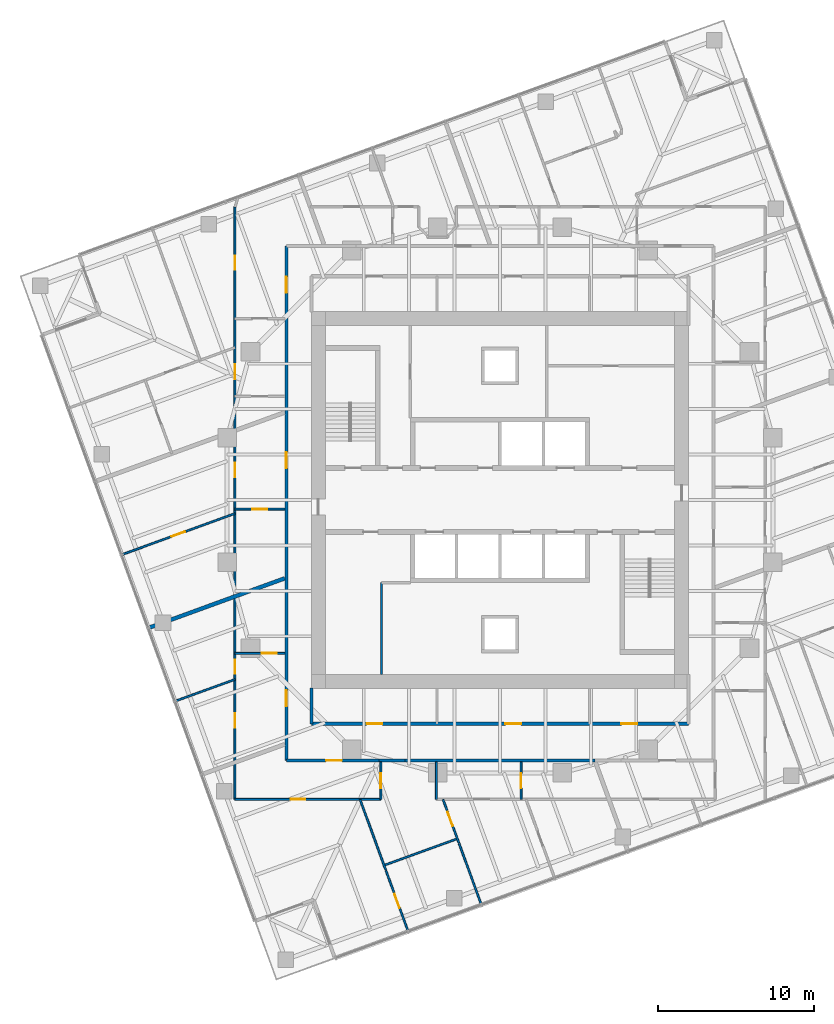
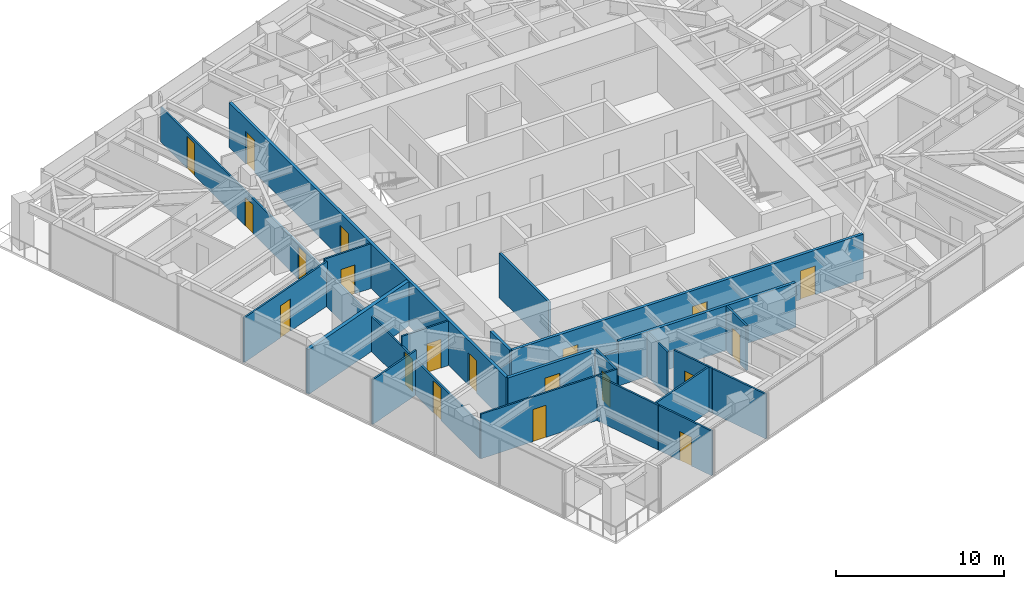
# One storey, part 7 of 13: 22 walls, 20 doors, 20 openings.
"""IFC4 building model written with IfcOpenShell, lengths in metres."""

from ifc_helpers import new_model, si_unit, direction, frame, frame_2d, origin, place, context, subcontext, project, spatial, rectangle, extrude, material, layer, layer_set, type_object, element, fill, save


model = new_model("IFC4")

# Units and contexts
model_context = context("Model", 3, precision=1e-05, world=origin(), true_north=direction((0.0, 1.0)))
body_context = subcontext(model_context, "Body", "Model", "MODEL_VIEW")
ifc_project = project(units=[si_unit("LENGTHUNIT", "METRE"), si_unit("AREAUNIT", "SQUARE_METRE"), si_unit("VOLUMEUNIT", "CUBIC_METRE"), si_unit("PLANEANGLEUNIT", "RADIAN"), si_unit("MASSUNIT", "GRAM", prefix="KILO")], contexts=[model_context])

# Site, building, storey
site_placement = place(None, origin())
site = spatial("IfcSite", under=ifc_project, at=site_placement, CompositionType="ELEMENT")
building_placement = place(site_placement, origin())
building = spatial("IfcBuilding", under=site, at=building_placement, Name="Torsade Residences", CompositionType="ELEMENT")
storey_placement = place(building_placement, frame((0.0, 0.0, 147.199951171875)))
storey = spatial("IfcBuildingStorey", under=building, at=storey_placement, Name="L40", CompositionType="ELEMENT", Elevation=147.199951171875)

# Wall, opening, door
ifc_material_1 = material(Name="Plasterboard on steel stud", Category="steel")
ifc_layer_1 = layer(ifc_material_1, 0.199951171875)
ifc_layer_set_1 = layer_set([ifc_layer_1], Name="Plasterboard on steel stud")
wall_type_1 = type_object("IfcWallType", Name="CORRIDOR WALL 200", PredefinedType="PARTITIONING", material=ifc_layer_set_1)
wall_1_placement = place(storey_placement, frame((26.300048828125, 13.300048828125, 0.0), z_axis=(0.0, 0.0, 1.0), x_axis=(1.0, 0.0, 0.0)))
wall_1 = element("IfcWall", 1, at=wall_1_placement, inside=storey, type_object=wall_type_1, Name="Corridor wall L40", PredefinedType="PARTITIONING", context=body_context, shape_type="SweptSolid", body=[
    extrude(rectangle(XDim=5.9248046875, YDim=0.199951171875, at=frame_2d((2.96240234375, 0.0))), origin(), (0.0, 0.0, 1.0), 3.25),
])
opening_1_placement = place(wall_1_placement, frame((2.54541015625, 0.0, 0.0)))
opening_1 = element("IfcOpeningElement", 2, at=opening_1_placement, cuts=wall_1, Name="Opening D01", PredefinedType="OPENING", context=body_context, shape_type="SweptSolid", body=[
    extrude(rectangle(XDim=1.02001953125, YDim=2.340087890625, at=frame_2d((0.510009765625, 1.169921875))), frame((0.0, 0.10986328125, 0.0), z_axis=(0.0, -1.0, 0.0), x_axis=(1.0, 0.0, 0.0)), (0.0, 0.0, 1.0), 0.219970703125),
])
ifc_material_2 = material(Name="Solid-core timber fire door", Category="wood")
door_type_1 = type_object("IfcDoorType", Name="APARTMENT ENTRY DOOR 1020x2340", OperationType="NOTDEFINED", PredefinedType="DOOR", material=ifc_material_2)
door_1_placement = place(opening_1_placement, origin())
door_1 = element("IfcDoor", 3, at=door_1_placement, inside=storey, type_object=door_type_1, Name="Door Residential corridor to Kitchen and dining", OperationType="SINGLE_SWING_RIGHT", OverallHeight=2.340087890625, OverallWidth=1.02001953125, PredefinedType="DOOR", context=body_context, shape_type="SweptSolid", body=[
    extrude(rectangle(XDim=1.02001953125, YDim=2.340087890625, at=frame_2d((0.510009765625, 1.169921875))), frame((0.0, 0.02490234375, 0.0), z_axis=(0.0, -1.0, 0.0), x_axis=(1.0, 0.0, 0.0)), (0.0, 0.0, 1.0), 0.050048828125),
])
fill(opening_1, door_1)

# Walls
wall_2_placement = place(storey_placement, frame((32.224853515625, 13.300048828125, 0.0), z_axis=(0.0, 0.0, 1.0), x_axis=(1.0, 0.0, 0.0)))
element("IfcWall", 4, at=wall_2_placement, inside=storey, type_object=wall_type_1, Name="Corridor wall L40", PredefinedType="PARTITIONING", context=body_context, shape_type="SweptSolid", body=[
    extrude(rectangle(XDim=1.68359375, YDim=0.199951171875, at=frame_2d((0.841796875, 0.0))), origin(), (0.0, 0.0, 1.0), 2.550048828125),
])
wall_3_placement = place(storey_placement, frame((33.908447265625, 13.300048828125, 0.0), z_axis=(0.0, 0.0, 1.0), x_axis=(1.0, 0.0, 0.0)))
element("IfcWall", 5, at=wall_3_placement, inside=storey, type_object=wall_type_1, Name="Corridor wall L40", PredefinedType="PARTITIONING", context=body_context, shape_type="SweptSolid", body=[
    extrude(rectangle(XDim=12.18310546875, YDim=0.199951171875, at=frame_2d((6.091552734375, 0.0))), origin(), (0.0, 0.0, 1.0), 3.25),
])

# Wall, openings, doors
wall_4_placement = place(storey_placement, frame((26.300048828125, 46.300048828125, 0.0), z_axis=(0.0, 0.0, 1.0), x_axis=(0.0, -1.0, 0.0)))
wall_4 = element("IfcWall", 6, at=wall_4_placement, inside=storey, type_object=wall_type_1, Name="Corridor wall L40", PredefinedType="PARTITIONING", context=body_context, shape_type="SweptSolid", body=[
    extrude(rectangle(XDim=33.0, YDim=0.199951171875, at=frame_2d((16.5, 0.0))), origin(), (0.0, 0.0, 1.0), 3.25),
])
opening_2_placement = place(wall_4_placement, frame((13.2294921875, 0.0, 0.0)))
opening_2 = element("IfcOpeningElement", 7, at=opening_2_placement, cuts=wall_4, Name="Opening D01", PredefinedType="OPENING", context=body_context, shape_type="SweptSolid", body=[
    extrude(rectangle(XDim=1.02001953125, YDim=2.340087890625, at=frame_2d((0.510009765625, 1.169921875))), frame((0.0, 0.10986328125, 0.0), z_axis=(0.0, -1.0, 0.0), x_axis=(1.0, 0.0, 0.0)), (0.0, 0.0, 1.0), 0.219970703125),
])
opening_3_placement = place(wall_4_placement, frame((28.51025390625, 0.0, 0.0)))
opening_3 = element("IfcOpeningElement", 8, at=opening_3_placement, cuts=wall_4, Name="Opening D01", PredefinedType="OPENING", context=body_context, shape_type="SweptSolid", body=[
    extrude(rectangle(XDim=1.02001953125, YDim=2.340087890625, at=frame_2d((0.510009765625, 1.169921875))), frame((0.0, 0.10986328125, 0.0), z_axis=(0.0, -1.0, 0.0), x_axis=(1.0, 0.0, 0.0)), (0.0, 0.0, 1.0), 0.219970703125),
])
opening_4_placement = place(wall_4_placement, frame((1.998291015625, 0.0, 0.0)))
opening_4 = element("IfcOpeningElement", 9, at=opening_4_placement, cuts=wall_4, Name="Opening D01", PredefinedType="OPENING", context=body_context, shape_type="SweptSolid", body=[
    extrude(rectangle(XDim=1.02001953125, YDim=2.340087890625, at=frame_2d((0.510009765625, 1.169921875))), frame((0.0, 0.10986328125, 0.0), z_axis=(0.0, -1.0, 0.0), x_axis=(1.0, 0.0, 0.0)), (0.0, 0.0, 1.0), 0.219970703125),
])
door_2_placement = place(opening_2_placement, origin())
door_2 = element("IfcDoor", 10, at=door_2_placement, inside=storey, type_object=door_type_1, Name="Door Residential corridor to Kitchen and dining", OperationType="SINGLE_SWING_LEFT", OverallHeight=2.340087890625, OverallWidth=1.02001953125, PredefinedType="DOOR", context=body_context, shape_type="SweptSolid", body=[
    extrude(rectangle(XDim=1.02001953125, YDim=2.340087890625, at=frame_2d((0.510009765625, 1.169921875))), frame((0.0, 0.02490234375, 0.0), z_axis=(0.0, -1.0, 0.0), x_axis=(1.0, 0.0, 0.0)), (0.0, 0.0, 1.0), 0.050048828125),
])
fill(opening_2, door_2)
door_3_placement = place(opening_3_placement, origin())
door_3 = element("IfcDoor", 11, at=door_3_placement, inside=storey, type_object=door_type_1, Name="Door Residential corridor to Kitchen and dining", OperationType="SINGLE_SWING_RIGHT", OverallHeight=2.340087890625, OverallWidth=1.02001953125, PredefinedType="DOOR", context=body_context, shape_type="SweptSolid", body=[
    extrude(rectangle(XDim=1.02001953125, YDim=2.340087890625, at=frame_2d((0.510009765625, 1.169921875))), frame((0.0, 0.02490234375, 0.0), z_axis=(0.0, -1.0, 0.0), x_axis=(1.0, 0.0, 0.0)), (0.0, 0.0, 1.0), 0.050048828125),
])
fill(opening_3, door_3)
door_4_placement = place(opening_4_placement, origin())
door_4 = element("IfcDoor", 12, at=door_4_placement, inside=storey, type_object=door_type_1, Name="Door Residential corridor to Kitchen and dining", OperationType="SINGLE_SWING_LEFT", OverallHeight=2.340087890625, OverallWidth=1.02001953125, PredefinedType="DOOR", context=body_context, shape_type="SweptSolid", body=[
    extrude(rectangle(XDim=1.02001953125, YDim=2.340087890625, at=frame_2d((0.510009765625, 1.169921875))), frame((0.0, 0.02490234375, 0.0), z_axis=(0.0, -1.0, 0.0), x_axis=(1.0, 0.0, 0.0)), (0.0, 0.0, 1.0), 0.050048828125),
])
fill(opening_4, door_4)

# Wall
wall_5_placement = place(storey_placement, frame((27.89990234375, 17.949951171875, 0.0), z_axis=(0.0, 0.0, 1.0), x_axis=(0.0, -1.0, 0.0)))
element("IfcWall", 13, at=wall_5_placement, inside=storey, type_object=wall_type_1, Name="Corridor wall L40", PredefinedType="PARTITIONING", context=body_context, shape_type="SweptSolid", body=[
    extrude(rectangle(XDim=2.300048828125, YDim=0.199951171875, at=frame_2d((1.14990234375, 0.0))), origin(), (0.0, 0.0, 1.0), 3.25),
])

# Wall, openings, doors
wall_6_placement = place(storey_placement, frame((27.89990234375, 15.64990234375, 0.0), z_axis=(0.0, 0.0, 1.0), x_axis=(1.0, 0.0, 0.0)))
wall_6 = element("IfcWall", 14, at=wall_6_placement, inside=storey, type_object=wall_type_1, Name="Corridor wall L40", PredefinedType="PARTITIONING", context=body_context, shape_type="SweptSolid", body=[
    extrude(rectangle(XDim=24.2001953125, YDim=0.199951171875, at=frame_2d((12.10009765625, 0.0))), origin(), (0.0, 0.0, 1.0), 3.25),
])
opening_5_placement = place(wall_6_placement, frame((12.43701171875, 0.0, 0.0)))
opening_5 = element("IfcOpeningElement", 15, at=opening_5_placement, cuts=wall_6, Name="Opening D03", PredefinedType="OPENING", context=body_context, shape_type="SweptSolid", body=[
    extrude(rectangle(XDim=1.02001953125, YDim=2.10009765625, at=frame_2d((0.510009765625, 1.050048828125))), frame((0.0, 0.10986328125, 0.0), z_axis=(0.0, -1.0, 0.0), x_axis=(1.0, 0.0, 0.0)), (0.0, 0.0, 1.0), 0.219970703125),
])
opening_6_placement = place(wall_6_placement, frame((3.544189453125, 0.0, 0.0)))
opening_6 = element("IfcOpeningElement", 16, at=opening_6_placement, cuts=wall_6, Name="Opening D03", PredefinedType="OPENING", context=body_context, shape_type="SweptSolid", body=[
    extrude(rectangle(XDim=1.02001953125, YDim=2.10009765625, at=frame_2d((0.510009765625, 1.050048828125))), frame((0.0, 0.10986328125, 0.0), z_axis=(0.0, -1.0, 0.0), x_axis=(1.0, 0.0, 0.0)), (0.0, 0.0, 1.0), 0.219970703125),
])
opening_7_placement = place(wall_6_placement, frame((19.8828125, 0.0, 0.0)))
opening_7 = element("IfcOpeningElement", 17, at=opening_7_placement, cuts=wall_6, Name="Opening D03", PredefinedType="OPENING", context=body_context, shape_type="SweptSolid", body=[
    extrude(rectangle(XDim=1.02001953125, YDim=2.10009765625, at=frame_2d((0.510009765625, 1.050048828125))), frame((0.0, 0.10986328125, 0.0), z_axis=(0.0, -1.0, 0.0), x_axis=(1.0, 0.0, 0.0)), (0.0, 0.0, 1.0), 0.219970703125),
])
ifc_material_3 = material(Name="Steel-framed fire door", Category="steel")
door_type_2 = type_object("IfcDoorType", Name="FIRE DOOR 1020", OperationType="NOTDEFINED", PredefinedType="DOOR", material=ifc_material_3)
door_5_placement = place(opening_5_placement, origin())
door_5 = element("IfcDoor", 18, at=door_5_placement, inside=storey, type_object=door_type_2, Name="Door Residential corridor to Bulk store", OperationType="SINGLE_SWING_RIGHT", OverallHeight=2.10009765625, OverallWidth=1.02001953125, PredefinedType="DOOR", context=body_context, shape_type="SweptSolid", body=[
    extrude(rectangle(XDim=1.02001953125, YDim=2.10009765625, at=frame_2d((0.510009765625, 1.050048828125))), frame((0.0, 0.02490234375, 0.0), z_axis=(0.0, -1.0, 0.0), x_axis=(1.0, 0.0, 0.0)), (0.0, 0.0, 1.0), 0.050048828125),
])
fill(opening_5, door_5)
door_6_placement = place(opening_6_placement, origin())
door_6 = element("IfcDoor", 19, at=door_6_placement, inside=storey, type_object=door_type_2, Name="Door Residential corridor to Residents storage", OperationType="SINGLE_SWING_RIGHT", OverallHeight=2.10009765625, OverallWidth=1.02001953125, PredefinedType="DOOR", context=body_context, shape_type="SweptSolid", body=[
    extrude(rectangle(XDim=1.02001953125, YDim=2.10009765625, at=frame_2d((0.510009765625, 1.050048828125))), frame((0.0, 0.02490234375, 0.0), z_axis=(0.0, -1.0, 0.0), x_axis=(1.0, 0.0, 0.0)), (0.0, 0.0, 1.0), 0.050048828125),
])
fill(opening_6, door_6)
door_7_placement = place(opening_7_placement, origin())
door_7 = element("IfcDoor", 20, at=door_7_placement, inside=storey, type_object=door_type_2, Name="Door Residential corridor to Parcel room", OperationType="SINGLE_SWING_LEFT", OverallHeight=2.10009765625, OverallWidth=1.02001953125, PredefinedType="DOOR", context=body_context, shape_type="SweptSolid", body=[
    extrude(rectangle(XDim=1.02001953125, YDim=2.10009765625, at=frame_2d((0.510009765625, 1.050048828125))), frame((0.0, 0.02490234375, 0.0), z_axis=(0.0, -1.0, 0.0), x_axis=(1.0, 0.0, 0.0)), (0.0, 0.0, 1.0), 0.050048828125),
])
fill(opening_7, door_7)

# Wall, opening, door
ifc_material_4 = material(Name="Plasterboard on steel stud", Category="steel")
ifc_layer_2 = layer(ifc_material_4, 0.1201171875)
ifc_layer_set_2 = layer_set([ifc_layer_2], Name="Plasterboard on steel stud")
wall_type_2 = type_object("IfcWallType", Name="PARTITION 120", PredefinedType="PARTITIONING", material=ifc_layer_set_2)
wall_7_placement = place(storey_placement, frame((26.199951171875, 29.4130859375, 0.0), z_axis=(0.0, 0.0, 1.0), x_axis=(-1.0, 0.0, 0.0)))
wall_7 = element("IfcWall", 21, at=wall_7_placement, inside=storey, type_object=wall_type_2, Name="Partition L40", PredefinedType="PARTITIONING", context=body_context, shape_type="SweptSolid", body=[
    extrude(rectangle(XDim=3.199951171875, YDim=0.1201171875, at=frame_2d((1.60009765625, 0.0))), origin(), (0.0, 0.0, 1.0), 3.25),
])
opening_8_placement = place(wall_7_placement, frame((1.1201171875, 0.0, 0.0)))
opening_8 = element("IfcOpeningElement", 22, at=opening_8_placement, cuts=wall_7, Name="Opening D05", PredefinedType="OPENING", context=body_context, shape_type="SweptSolid", body=[
    extrude(rectangle(XDim=0.9599609375, YDim=2.10009765625, at=frame_2d((0.47998046875, 1.050048828125))), frame((0.0, 0.070068359375, 0.0), z_axis=(0.0, -1.0, 0.0), x_axis=(1.0, 0.0, 0.0)), (0.0, 0.0, 1.0), 0.14013671875),
])
ifc_material_5 = material(Name="Hollow-core timber door in a steel cavity frame", Category="steel")
door_type_3 = type_object("IfcDoorType", Name="BATHROOM CAVITY SLIDING DOOR 960", OperationType="SLIDING_TO_LEFT", PredefinedType="DOOR", material=ifc_material_5)
door_8_placement = place(opening_8_placement, origin())
door_8 = element("IfcDoor", 23, at=door_8_placement, inside=storey, type_object=door_type_3, Name="Door Kitchen and dining to Bathroom", OperationType="SLIDING_TO_LEFT", OverallHeight=2.10009765625, OverallWidth=0.9599609375, PredefinedType="DOOR", context=body_context, shape_type="SweptSolid", body=[
    extrude(rectangle(XDim=0.9599609375, YDim=2.10009765625, at=frame_2d((0.47998046875, 1.050048828125))), frame((0.0, 0.02490234375, 0.0), z_axis=(0.0, -1.0, 0.0), x_axis=(1.0, 0.0, 0.0)), (0.0, 0.0, 1.0), 0.050048828125),
])
fill(opening_8, door_8)

# Wall, openings, doors
wall_8_placement = place(storey_placement, frame((23.0, 10.800048828125, 0.0), z_axis=(0.0, 0.0, 1.0), x_axis=(0.0, 1.0, 0.0)))
wall_8 = element("IfcWall", 24, at=wall_8_placement, inside=storey, type_object=wall_type_2, Name="Partition L40", PredefinedType="PARTITIONING", context=body_context, shape_type="SweptSolid", body=[
    extrude(rectangle(XDim=38.0, YDim=0.1201171875, at=frame_2d((19.0, 0.0))), origin(), (0.0, 0.0, 1.0), 2.550048828125),
])
opening_9_placement = place(wall_8_placement, frame((20.673583984375, 0.0, 0.0)))
opening_9 = element("IfcOpeningElement", 25, at=opening_9_placement, cuts=wall_8, Name="Opening D02", PredefinedType="OPENING", context=body_context, shape_type="SweptSolid", body=[
    extrude(rectangle(XDim=0.919921875, YDim=2.340087890625, at=frame_2d((0.4599609375, 1.169921875))), frame((0.0, 0.070068359375, 0.0), z_axis=(0.0, -1.0, 0.0), x_axis=(1.0, 0.0, 0.0)), (0.0, 0.0, 1.0), 0.14013671875),
])
opening_10_placement = place(wall_8_placement, frame((4.59765625, 0.0, 0.0)))
opening_10 = element("IfcOpeningElement", 26, at=opening_10_placement, cuts=wall_8, Name="Opening D02", PredefinedType="OPENING", context=body_context, shape_type="SweptSolid", body=[
    extrude(rectangle(XDim=0.919921875, YDim=2.340087890625, at=frame_2d((0.4599609375, 1.169921875))), frame((0.0, 0.070068359375, 0.0), z_axis=(0.0, -1.0, 0.0), x_axis=(1.0, 0.0, 0.0)), (0.0, 0.0, 1.0), 0.14013671875),
])
opening_11_placement = place(wall_8_placement, frame((8.042724609375, 0.0, 0.0)))
opening_11 = element("IfcOpeningElement", 27, at=opening_11_placement, cuts=wall_8, Name="Opening D02", PredefinedType="OPENING", context=body_context, shape_type="SweptSolid", body=[
    extrude(rectangle(XDim=0.919921875, YDim=2.340087890625, at=frame_2d((0.4599609375, 1.169921875))), frame((0.0, 0.070068359375, 0.0), z_axis=(0.0, -1.0, 0.0), x_axis=(1.0, 0.0, 0.0)), (0.0, 0.0, 1.0), 0.14013671875),
])
opening_12_placement = place(wall_8_placement, frame((33.956787109375, 0.0, 0.0)))
opening_12 = element("IfcOpeningElement", 28, at=opening_12_placement, cuts=wall_8, Name="Opening D02", PredefinedType="OPENING", context=body_context, shape_type="SweptSolid", body=[
    extrude(rectangle(XDim=0.919921875, YDim=2.340087890625, at=frame_2d((0.4599609375, 1.169921875))), frame((0.0, 0.070068359375, 0.0), z_axis=(0.0, -1.0, 0.0), x_axis=(1.0, 0.0, 0.0)), (0.0, 0.0, 1.0), 0.14013671875),
])
opening_13_placement = place(wall_8_placement, frame((26.95654296875, 0.0, 0.0)))
opening_13 = element("IfcOpeningElement", 29, at=opening_13_placement, cuts=wall_8, Name="Opening D05", PredefinedType="OPENING", context=body_context, shape_type="SweptSolid", body=[
    extrude(rectangle(XDim=0.9599609375, YDim=2.10009765625, at=frame_2d((0.47998046875, 1.050048828125))), frame((0.0, 0.070068359375, 0.0), z_axis=(0.0, -1.0, 0.0), x_axis=(1.0, 0.0, 0.0)), (0.0, 0.0, 1.0), 0.14013671875),
])
door_9_placement = place(opening_13_placement, origin())
door_9 = element("IfcDoor", 30, at=door_9_placement, inside=storey, type_object=door_type_3, Name="Door Bathroom to Walk-in robe", OperationType="SLIDING_TO_LEFT", OverallHeight=2.10009765625, OverallWidth=0.9599609375, PredefinedType="DOOR", context=body_context, shape_type="SweptSolid", body=[
    extrude(rectangle(XDim=0.9599609375, YDim=2.10009765625, at=frame_2d((0.47998046875, 1.050048828125))), frame((0.0, 0.02490234375, 0.0), z_axis=(0.0, -1.0, 0.0), x_axis=(1.0, 0.0, 0.0)), (0.0, 0.0, 1.0), 0.050048828125),
])
fill(opening_13, door_9)
ifc_material_6 = material(Name="Hollow-core timber door", Category="wood")
door_type_4 = type_object("IfcDoorType", Name="INTERNAL DOOR 920x2340", OperationType="NOTDEFINED", PredefinedType="DOOR", material=ifc_material_6)
door_10_placement = place(opening_9_placement, origin())
door_10 = element("IfcDoor", 31, at=door_10_placement, inside=storey, type_object=door_type_4, Name="Door Kitchen and dining to Living room", OperationType="SINGLE_SWING_RIGHT", OverallHeight=2.340087890625, OverallWidth=0.919921875, PredefinedType="DOOR", context=body_context, shape_type="SweptSolid", body=[
    extrude(rectangle(XDim=0.919921875, YDim=2.340087890625, at=frame_2d((0.4599609375, 1.169921875))), frame((0.0, 0.02490234375, 0.0), z_axis=(0.0, -1.0, 0.0), x_axis=(1.0, 0.0, 0.0)), (0.0, 0.0, 1.0), 0.050048828125),
])
fill(opening_9, door_10)
door_11_placement = place(opening_10_placement, origin())
door_11 = element("IfcDoor", 32, at=door_11_placement, inside=storey, type_object=door_type_4, Name="Door Kitchen and dining to Bedroom 1", OperationType="SINGLE_SWING_RIGHT", OverallHeight=2.340087890625, OverallWidth=0.919921875, PredefinedType="DOOR", context=body_context, shape_type="SweptSolid", body=[
    extrude(rectangle(XDim=0.919921875, YDim=2.340087890625, at=frame_2d((0.4599609375, 1.169921875))), frame((0.0, 0.02490234375, 0.0), z_axis=(0.0, -1.0, 0.0), x_axis=(1.0, 0.0, 0.0)), (0.0, 0.0, 1.0), 0.050048828125),
])
fill(opening_10, door_11)
door_12_placement = place(opening_11_placement, origin())
door_12 = element("IfcDoor", 33, at=door_12_placement, inside=storey, type_object=door_type_4, Name="Door Kitchen and dining to Living room", OperationType="SINGLE_SWING_LEFT", OverallHeight=2.340087890625, OverallWidth=0.919921875, PredefinedType="DOOR", context=body_context, shape_type="SweptSolid", body=[
    extrude(rectangle(XDim=0.919921875, YDim=2.340087890625, at=frame_2d((0.4599609375, 1.169921875))), frame((0.0, 0.02490234375, 0.0), z_axis=(0.0, -1.0, 0.0), x_axis=(1.0, 0.0, 0.0)), (0.0, 0.0, 1.0), 0.050048828125),
])
fill(opening_11, door_12)
door_13_placement = place(opening_12_placement, origin())
door_13 = element("IfcDoor", 34, at=door_13_placement, inside=storey, type_object=door_type_4, Name="Door Kitchen and dining to Bedroom 1", OperationType="SINGLE_SWING_RIGHT", OverallHeight=2.340087890625, OverallWidth=0.919921875, PredefinedType="DOOR", context=body_context, shape_type="SweptSolid", body=[
    extrude(rectangle(XDim=0.919921875, YDim=2.340087890625, at=frame_2d((0.4599609375, 1.169921875))), frame((0.0, 0.02490234375, 0.0), z_axis=(0.0, -1.0, 0.0), x_axis=(1.0, 0.0, 0.0)), (0.0, 0.0, 1.0), 0.050048828125),
])
fill(opening_12, door_13)

# Wall, opening, door
wall_9_placement = place(storey_placement, frame((23.0, 29.133544921875, 0.0), z_axis=(0.0, 0.0, 1.0), x_axis=(-0.939685835373, -0.342038785519, 0.0)))
wall_9 = element("IfcWall", 35, at=wall_9_placement, inside=storey, type_object=wall_type_2, Name="Partition L40", PredefinedType="PARTITIONING", context=body_context, shape_type="SweptSolid", body=[
    extrude(rectangle(XDim=7.68896484375, YDim=0.1201171875, at=frame_2d((3.844482421875, 0.0))), origin(), (0.0, 0.0, 1.0), 3.25),
])
opening_14_placement = place(wall_9_placement, frame((3.404296875, 0.0, 0.0)))
opening_14 = element("IfcOpeningElement", 36, at=opening_14_placement, cuts=wall_9, Name="Opening D02", PredefinedType="OPENING", context=body_context, shape_type="SweptSolid", body=[
    extrude(rectangle(XDim=0.919921875, YDim=2.340087890625, at=frame_2d((0.4599609375, 1.169921875))), frame((0.0, 0.070068359375, 0.0), z_axis=(0.0, -1.0, 0.0), x_axis=(1.0, 0.0, 0.0)), (0.0, 0.0, 1.0), 0.14013671875),
])
door_14_placement = place(opening_14_placement, origin())
door_14 = element("IfcDoor", 37, at=door_14_placement, inside=storey, type_object=door_type_4, Name="Door Living room to Bedroom 1", OperationType="SINGLE_SWING_RIGHT", OverallHeight=2.340087890625, OverallWidth=0.919921875, PredefinedType="DOOR", context=body_context, shape_type="SweptSolid", body=[
    extrude(rectangle(XDim=0.919921875, YDim=2.340087890625, at=frame_2d((0.4599609375, 1.169921875))), frame((0.0, 0.02490234375, 0.0), z_axis=(0.0, -1.0, 0.0), x_axis=(1.0, 0.0, 0.0)), (0.0, 0.0, 1.0), 0.050048828125),
])
fill(opening_14, door_14)

wall_10_placement = place(storey_placement, frame((23.0, 20.167236328125, 0.0), z_axis=(0.0, 0.0, 1.0), x_axis=(1.0, 0.0, 0.0)))
wall_10 = element("IfcWall", 38, at=wall_10_placement, inside=storey, type_object=wall_type_2, Name="Partition L40", PredefinedType="PARTITIONING", context=body_context, shape_type="SweptSolid", body=[
    extrude(rectangle(XDim=3.199951171875, YDim=0.1201171875, at=frame_2d((1.60009765625, 0.0))), origin(), (0.0, 0.0, 1.0), 3.25),
])
opening_15_placement = place(wall_10_placement, frame((1.719970703125, 0.0, 0.0)))
opening_15 = element("IfcOpeningElement", 39, at=opening_15_placement, cuts=wall_10, Name="Opening D05", PredefinedType="OPENING", context=body_context, shape_type="SweptSolid", body=[
    extrude(rectangle(XDim=0.9599609375, YDim=2.10009765625, at=frame_2d((0.47998046875, 1.050048828125))), frame((0.0, 0.070068359375, 0.0), z_axis=(0.0, -1.0, 0.0), x_axis=(1.0, 0.0, 0.0)), (0.0, 0.0, 1.0), 0.14013671875),
])
door_15_placement = place(opening_15_placement, origin())
door_15 = element("IfcDoor", 40, at=door_15_placement, inside=storey, type_object=door_type_3, Name="Door Kitchen and dining to Bathroom", OperationType="SLIDING_TO_LEFT", OverallHeight=2.10009765625, OverallWidth=0.9599609375, PredefinedType="DOOR", context=body_context, shape_type="SweptSolid", body=[
    extrude(rectangle(XDim=0.9599609375, YDim=2.10009765625, at=frame_2d((0.47998046875, 1.050048828125))), frame((0.0, 0.02490234375, 0.0), z_axis=(0.0, -1.0, 0.0), x_axis=(1.0, 0.0, 0.0)), (0.0, 0.0, 1.0), 0.050048828125),
])
fill(opening_15, door_15)

# Wall
wall_11_placement = place(storey_placement, frame((23.0, 18.49169921875, 0.0), z_axis=(0.0, 0.0, 1.0), x_axis=(-0.939682468191, -0.342048036063, 0.0)))
element("IfcWall", 41, at=wall_11_placement, inside=storey, type_object=wall_type_2, Name="Partition L40", PredefinedType="PARTITIONING", context=body_context, shape_type="SweptSolid", body=[
    extrude(rectangle(XDim=4.049072265625, YDim=0.1201171875, at=frame_2d((2.0244140625, 0.0))), origin(), (0.0, 0.0, 1.0), 3.25),
])

# Wall, opening, door
wall_12_placement = place(storey_placement, frame((32.361083984375, 13.199951171875, 0.0), z_axis=(0.0, 0.0, 1.0), x_axis=(0.0, -1.0, 0.0)))
wall_12 = element("IfcWall", 42, at=wall_12_placement, inside=storey, type_object=wall_type_2, Name="Partition L40", PredefinedType="PARTITIONING", context=body_context, shape_type="SweptSolid", body=[
    extrude(rectangle(XDim=2.39990234375, YDim=0.1201171875, at=frame_2d((1.199951171875, 0.0))), origin(), (0.0, 0.0, 1.0), 3.25),
])
opening_16_placement = place(wall_12_placement, frame((0.719970703125, 0.0, 0.0)))
opening_16 = element("IfcOpeningElement", 43, at=opening_16_placement, cuts=wall_12, Name="Opening D05", PredefinedType="OPENING", context=body_context, shape_type="SweptSolid", body=[
    extrude(rectangle(XDim=0.9599609375, YDim=2.10009765625, at=frame_2d((0.47998046875, 1.050048828125))), frame((0.0, 0.070068359375, 0.0), z_axis=(0.0, -1.0, 0.0), x_axis=(1.0, 0.0, 0.0)), (0.0, 0.0, 1.0), 0.14013671875),
])
door_16_placement = place(opening_16_placement, origin())
door_16 = element("IfcDoor", 44, at=door_16_placement, inside=storey, type_object=door_type_3, Name="Door Kitchen and dining to Laundry", OperationType="SLIDING_TO_LEFT", OverallHeight=2.10009765625, OverallWidth=0.9599609375, PredefinedType="DOOR", context=body_context, shape_type="SweptSolid", body=[
    extrude(rectangle(XDim=0.9599609375, YDim=2.10009765625, at=frame_2d((0.47998046875, 1.050048828125))), frame((0.0, 0.02490234375, 0.0), z_axis=(0.0, -1.0, 0.0), x_axis=(1.0, 0.0, 0.0)), (0.0, 0.0, 1.0), 0.050048828125),
])
fill(opening_16, door_16)

wall_13_placement = place(storey_placement, frame((32.361083984375, 10.800048828125, 0.0), z_axis=(0.0, 0.0, 1.0), x_axis=(-1.0, 0.0, 0.0)))
wall_13 = element("IfcWall", 45, at=wall_13_placement, inside=storey, type_object=wall_type_2, Name="Partition L40", PredefinedType="PARTITIONING", context=body_context, shape_type="SweptSolid", body=[
    extrude(rectangle(XDim=9.361083984375, YDim=0.1201171875, at=frame_2d((4.6806640625, 0.0))), origin(), (0.0, 0.0, 1.0), 3.25),
])
opening_17_placement = place(wall_13_placement, frame((4.861572265625, 0.0, 0.0)))
opening_17 = element("IfcOpeningElement", 46, at=opening_17_placement, cuts=wall_13, Name="Opening D02", PredefinedType="OPENING", context=body_context, shape_type="SweptSolid", body=[
    extrude(rectangle(XDim=0.919921875, YDim=2.340087890625, at=frame_2d((0.4599609375, 1.169921875))), frame((0.0, 0.070068359375, 0.0), z_axis=(0.0, -1.0, 0.0), x_axis=(1.0, 0.0, 0.0)), (0.0, 0.0, 1.0), 0.14013671875),
])
door_17_placement = place(opening_17_placement, origin())
door_17 = element("IfcDoor", 47, at=door_17_placement, inside=storey, type_object=door_type_4, Name="Door Kitchen and dining to Living room", OperationType="SINGLE_SWING_RIGHT", OverallHeight=2.340087890625, OverallWidth=0.919921875, PredefinedType="DOOR", context=body_context, shape_type="SweptSolid", body=[
    extrude(rectangle(XDim=0.919921875, YDim=2.340087890625, at=frame_2d((0.4599609375, 1.169921875))), frame((0.0, 0.02490234375, 0.0), z_axis=(0.0, -1.0, 0.0), x_axis=(1.0, 0.0, 0.0)), (0.0, 0.0, 1.0), 0.050048828125),
])
fill(opening_17, door_17)

wall_14_placement = place(storey_placement, frame((41.3525390625, 13.199951171875, 0.0), z_axis=(0.0, 0.0, 1.0), x_axis=(0.0, -1.0, 0.0)))
wall_14 = element("IfcWall", 48, at=wall_14_placement, inside=storey, type_object=wall_type_2, Name="Partition L40", PredefinedType="PARTITIONING", context=body_context, shape_type="SweptSolid", body=[
    extrude(rectangle(XDim=2.39990234375, YDim=0.1201171875, at=frame_2d((1.199951171875, 0.0))), origin(), (0.0, 0.0, 1.0), 3.25),
])
opening_18_placement = place(wall_14_placement, frame((0.719970703125, 0.0, 0.0)))
opening_18 = element("IfcOpeningElement", 49, at=opening_18_placement, cuts=wall_14, Name="Opening D05", PredefinedType="OPENING", context=body_context, shape_type="SweptSolid", body=[
    extrude(rectangle(XDim=0.9599609375, YDim=2.10009765625, at=frame_2d((0.47998046875, 1.050048828125))), frame((0.0, 0.070068359375, 0.0), z_axis=(0.0, -1.0, 0.0), x_axis=(1.0, 0.0, 0.0)), (0.0, 0.0, 1.0), 0.14013671875),
])
door_18_placement = place(opening_18_placement, origin())
door_18 = element("IfcDoor", 50, at=door_18_placement, inside=storey, type_object=door_type_3, Name="Door Ensuite 2 to Ensuite", OperationType="SLIDING_TO_LEFT", OverallHeight=2.10009765625, OverallWidth=0.9599609375, PredefinedType="DOOR", context=body_context, shape_type="SweptSolid", body=[
    extrude(rectangle(XDim=0.9599609375, YDim=2.10009765625, at=frame_2d((0.47998046875, 1.050048828125))), frame((0.0, 0.02490234375, 0.0), z_axis=(0.0, -1.0, 0.0), x_axis=(1.0, 0.0, 0.0)), (0.0, 0.0, 1.0), 0.050048828125),
])
fill(opening_18, door_18)

# Walls
wall_15_placement = place(storey_placement, frame((35.916015625, 10.800048828125, 0.0), z_axis=(0.0, 0.0, 1.0), x_axis=(0.0, 1.0, 0.0)))
element("IfcWall", 51, at=wall_15_placement, inside=storey, type_object=wall_type_2, Name="Partition L40", PredefinedType="PARTITIONING", context=body_context, shape_type="SweptSolid", body=[
    extrude(rectangle(XDim=2.39990234375, YDim=0.1201171875, at=frame_2d((1.199951171875, 0.0))), origin(), (0.0, 0.0, 1.0), 3.25),
])
wall_16_placement = place(storey_placement, frame((32.666259765625, 6.2919921875, 0.0), z_axis=(0.0, 0.0, 1.0), x_axis=(-0.341988220281, 0.93970423921, 0.0)))
element("IfcWall", 52, at=wall_16_placement, inside=storey, type_object=wall_type_2, Name="Partition L40", PredefinedType="PARTITIONING", context=body_context, shape_type="SweptSolid", body=[
    extrude(rectangle(XDim=4.79736328125, YDim=0.1201171875, at=frame_2d((2.398681640625, 0.0))), origin(), (0.0, 0.0, 1.0), 3.25),
])

# Wall, opening, door
wall_17_placement = place(storey_placement, frame((36.346435546875, 10.800048828125, 0.0), z_axis=(0.0, 0.0, 1.0), x_axis=(0.341986632257, -0.939704817141, 0.0)))
wall_17 = element("IfcWall", 53, at=wall_17_placement, inside=storey, type_object=wall_type_2, Name="Partition L40", PredefinedType="PARTITIONING", context=body_context, shape_type="SweptSolid", body=[
    extrude(rectangle(XDim=2.9775390625, YDim=0.1201171875, at=frame_2d((1.48876953125, 0.0))), origin(), (0.0, 0.0, 1.0), 3.25),
])
opening_19_placement = place(wall_17_placement, frame((0.86083984375, 0.0, 0.0)))
opening_19 = element("IfcOpeningElement", 54, at=opening_19_placement, cuts=wall_17, Name="Opening D05", PredefinedType="OPENING", context=body_context, shape_type="SweptSolid", body=[
    extrude(rectangle(XDim=0.9599609375, YDim=2.10009765625, at=frame_2d((0.47998046875, 1.050048828125))), frame((0.0, 0.070068359375, 0.0), z_axis=(0.0, -1.0, 0.0), x_axis=(1.0, 0.0, 0.0)), (0.0, 0.0, 1.0), 0.14013671875),
])
door_19_placement = place(opening_19_placement, origin())
door_19 = element("IfcDoor", 55, at=door_19_placement, inside=storey, type_object=door_type_3, Name="Door Laundry to Bedroom 1", OperationType="SLIDING_TO_LEFT", OverallHeight=2.10009765625, OverallWidth=0.9599609375, PredefinedType="DOOR", context=body_context, shape_type="SweptSolid", body=[
    extrude(rectangle(XDim=0.9599609375, YDim=2.10009765625, at=frame_2d((0.47998046875, 1.050048828125))), frame((0.0, 0.02490234375, 0.0), z_axis=(0.0, -1.0, 0.0), x_axis=(1.0, 0.0, 0.0)), (0.0, 0.0, 1.0), 0.050048828125),
])
fill(opening_19, door_19)

# Wall
wall_18_placement = place(storey_placement, frame((37.263671875, 8.280029296875, 0.0), z_axis=(0.0, 0.0, 1.0), x_axis=(-0.939686455819, -0.342037080957, 0.0)))
element("IfcWall", 56, at=wall_18_placement, inside=storey, type_object=wall_type_2, Name="Partition L40", PredefinedType="PARTITIONING", context=body_context, shape_type="SweptSolid", body=[
    extrude(rectangle(XDim=5.0, YDim=0.1201171875, at=frame_2d((2.5, 0.0))), origin(), (0.0, 0.0, 1.0), 3.25),
])

# Wall, opening, door
wall_19_placement = place(storey_placement, frame((32.684814453125, 6.240966796875, 0.0), z_axis=(0.0, 0.0, 1.0), x_axis=(0.342036918442, -0.939686514973, 0.0)))
wall_19 = element("IfcWall", 57, at=wall_19_placement, inside=storey, type_object=wall_type_2, Name="Partition L40", PredefinedType="PARTITIONING", context=body_context, shape_type="SweptSolid", body=[
    extrude(rectangle(XDim=4.1357421875, YDim=0.1201171875, at=frame_2d((2.06787109375, 0.0))), origin(), (0.0, 0.0, 1.0), 3.25),
])
opening_20_placement = place(wall_19_placement, frame((1.60791015625, 0.0, 0.0)))
opening_20 = element("IfcOpeningElement", 58, at=opening_20_placement, cuts=wall_19, Name="Opening D05", PredefinedType="OPENING", context=body_context, shape_type="SweptSolid", body=[
    extrude(rectangle(XDim=0.9599609375, YDim=2.10009765625, at=frame_2d((0.47998046875, 1.050048828125))), frame((0.0, 0.070068359375, 0.0), z_axis=(0.0, -1.0, 0.0), x_axis=(1.0, 0.0, 0.0)), (0.0, 0.0, 1.0), 0.14013671875),
])
door_20_placement = place(opening_20_placement, origin())
door_20 = element("IfcDoor", 59, at=door_20_placement, inside=storey, type_object=door_type_3, Name="Door Living room to Bathroom", OperationType="SLIDING_TO_LEFT", OverallHeight=2.10009765625, OverallWidth=0.9599609375, PredefinedType="DOOR", context=body_context, shape_type="SweptSolid", body=[
    extrude(rectangle(XDim=0.9599609375, YDim=2.10009765625, at=frame_2d((0.47998046875, 1.050048828125))), frame((0.0, 0.02490234375, 0.0), z_axis=(0.0, -1.0, 0.0), x_axis=(1.0, 0.0, 0.0)), (0.0, 0.0, 1.0), 0.050048828125),
])
fill(opening_20, door_20)

# Walls
wall_20_placement = place(storey_placement, frame((38.7978515625, 4.064697265625, 0.0), z_axis=(0.0, 0.0, 1.0), x_axis=(-0.342036918442, 0.939686514973, 0.0)))
element("IfcWall", 60, at=wall_20_placement, inside=storey, type_object=wall_type_2, Name="Partition L40", PredefinedType="PARTITIONING", context=body_context, shape_type="SweptSolid", body=[
    extrude(rectangle(XDim=4.1357421875, YDim=0.1201171875, at=frame_2d((2.06787109375, 0.0))), origin(), (0.0, 0.0, 1.0), 3.25),
])
ifc_material_7 = material(Name="Masonry-lined stud party wall", Category="masonry")
ifc_layer_3 = layer(ifc_material_7, 0.25)
ifc_layer_set_3 = layer_set([ifc_layer_3], Name="Masonry-lined stud party wall")
wall_type_3 = type_object("IfcWallType", Name="PARTY WALL 250", PredefinedType="PARTITIONING", material=ifc_layer_set_3)
wall_21_placement = place(storey_placement, frame((17.447265625, 21.79150390625, 0.0), z_axis=(0.0, 0.0, 1.0), x_axis=(0.939693071685, 0.342018904489, 0.0)))
element("IfcWall", 61, at=wall_21_placement, inside=storey, type_object=wall_type_3, Name="Party wall L40", PredefinedType="PARTITIONING", context=body_context, shape_type="SweptSolid", body=[
    extrude(rectangle(XDim=9.308837890625, YDim=0.25, at=frame_2d((4.654296875, 0.0))), origin(), (0.0, 0.0, 1.0), 3.25),
])
ifc_material_8 = material(Name="Reinforced blockwork", Category="masonry")
ifc_layer_4 = layer(ifc_material_8, 0.14990234375)
ifc_layer_set_4 = layer_set([ifc_layer_4], Name="Reinforced blockwork")
wall_type_4 = type_object("IfcWallType", Name="SERVICE ROOM WALL 150", PredefinedType="SOLIDWALL", material=ifc_layer_set_4)
wall_22_placement = place(storey_placement, frame((32.39990234375, 18.800048828125, 0.0), z_axis=(0.0, 0.0, 1.0), x_axis=(0.0, 1.0, 0.0)))
element("IfcWall", 62, at=wall_22_placement, inside=storey, type_object=wall_type_4, Name="Service room wall L40", PredefinedType="SOLIDWALL", context=body_context, shape_type="SweptSolid", body=[
    extrude(rectangle(XDim=5.89990234375, YDim=0.14990234375, at=frame_2d((2.949951171875, 0.0))), origin(), (0.0, 0.0, 1.0), 3.25),
])

save(model, "model.ifc")
